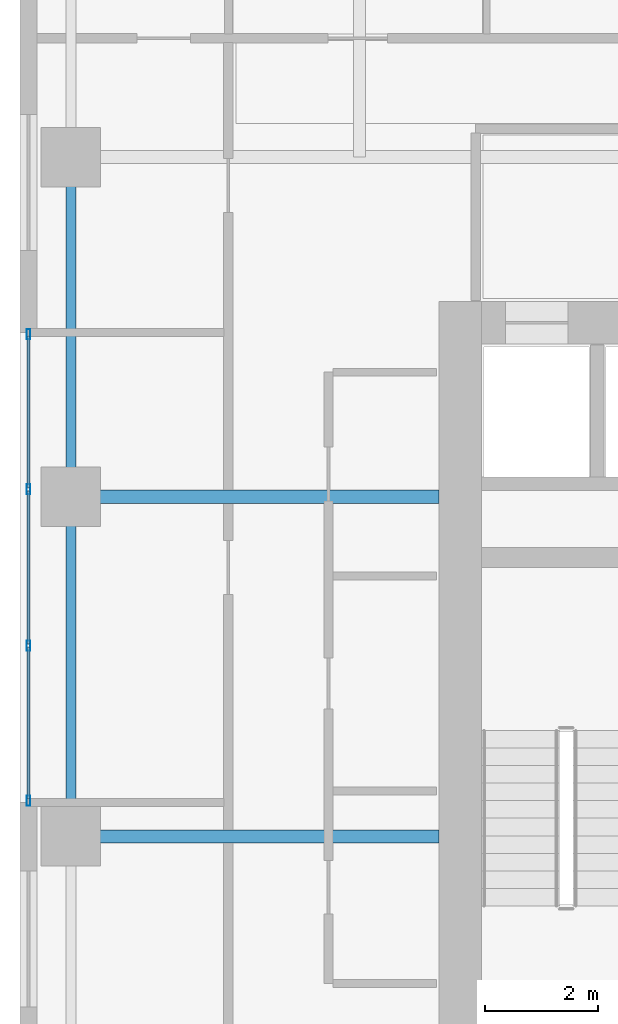
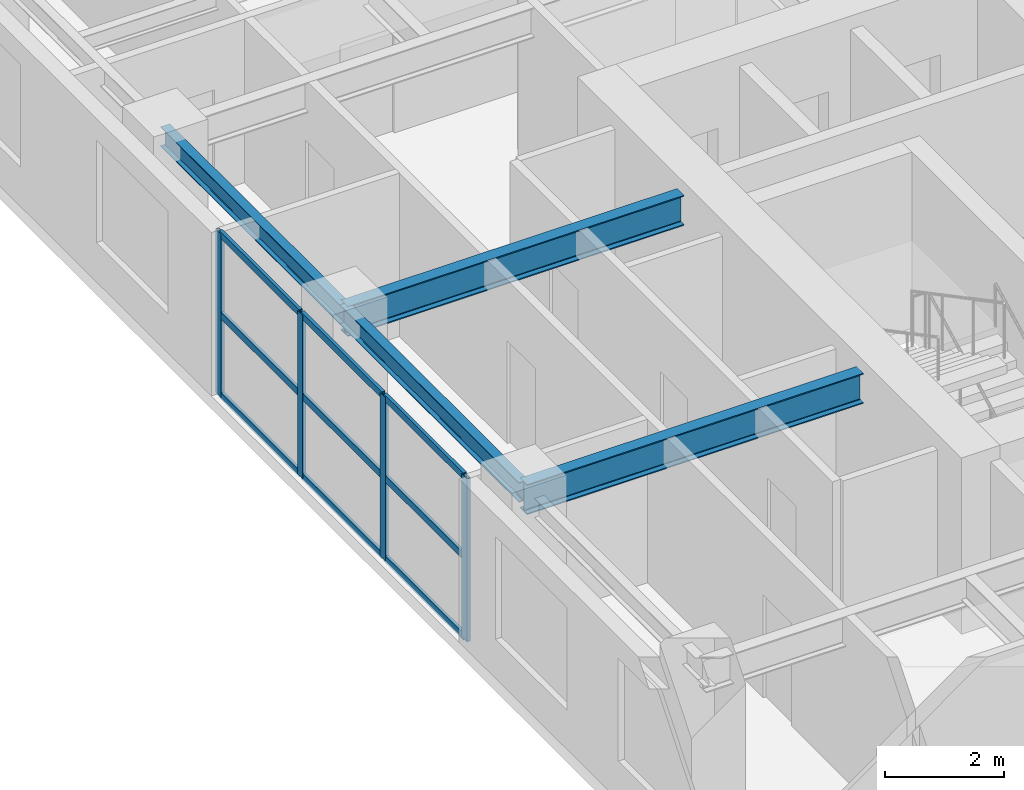
# One storey, part 5 of 20: 13 members, 4 beams, 1 element without a shape of its own.
"""IFC4 building model written with IfcOpenShell, lengths in metres."""

from ifc_helpers import new_model, si_unit, direction, frame, origin, origin_2d, place, context, subcontext, project, spatial, hollow_rectangle, i_section, extrude, source, transform, mapped, material, layer, layer_set, material_profile, profile_set, type_object, element, aggregate, save


model = new_model("IFC4")

# Units and contexts
model_context = context("Model", 3, precision=1e-05, world=origin(), true_north=direction((0.0, 1.0)))
body_context = subcontext(model_context, "Body", "Model", "MODEL_VIEW")
ifc_project = project(units=[si_unit("LENGTHUNIT", "METRE"), si_unit("AREAUNIT", "SQUARE_METRE"), si_unit("VOLUMEUNIT", "CUBIC_METRE"), si_unit("PLANEANGLEUNIT", "RADIAN"), si_unit("MASSUNIT", "GRAM", prefix="KILO")], contexts=[model_context])

# Site, building, storey
site_placement = place(None, origin())
site = spatial("IfcSite", under=ifc_project, at=site_placement, CompositionType="ELEMENT")
building_placement = place(site_placement, origin())
building = spatial("IfcBuilding", under=site, at=building_placement, Name="Khoralis Quay Care Tower", CompositionType="ELEMENT")
storey_placement = place(building_placement, frame((0.0, 0.0, 116.10009765625)))
storey = spatial("IfcBuildingStorey", under=building, at=storey_placement, Name="L30", CompositionType="ELEMENT", Elevation=116.10009765625)

# Beams
ifc_material_1 = material(Name="Steel S355", Category="steel")
ifc_material_profile_1 = material_profile(ifc_material_1, i_section(OverallWidth=0.179931640625, OverallDepth=0.39990234375, WebThickness=0.008544921875, FlangeThickness=0.013427734375, FilletRadius=0.02099609375, at=origin_2d()), Name="Steel S355")
ifc_profile_set_1 = profile_set([ifc_material_profile_1], Name="Steel S355")
beam_type_1 = type_object("IfcBeamType", Name="BM-IPE400", PredefinedType="SPANDREL", material=ifc_profile_set_1)
shared_shape_1 = source(origin(), body_context, "Body", "SweptSolid", [
    extrude(i_section(OverallWidth=0.179931640625, OverallDepth=0.39990234375, WebThickness=0.008544921875, FlangeThickness=0.013427734375, FilletRadius=0.02099609375, at=origin_2d()), origin(), (0.0, 0.0, 1.0), 6.0),
])
for number, where, z_axis, x_axis, name in (
    (1, (0.89990234375, 18.0, 3.139892578125), (0.0, 1.0, 0.0), (-1.0, 0.0, 0.0), "BM-TSP-L30-13"),
    (2, (0.89990234375, 24.0, 3.139892578125), (0.0, 1.0, 0.0), (-1.0, 0.0, 0.0), "BM-TSP-L30-14"),
):
    element("IfcBeam", number, at=place(storey_placement, frame(where, z_axis=z_axis, x_axis=x_axis)), inside=storey, type_object=beam_type_1, Name=name, PredefinedType="SPANDREL", context=body_context, shape_type="MappedRepresentation", body=[
        mapped(shared_shape_1, transform((0.0, 0.0, 0.0), scale=1.0)),
    ])
ifc_material_profile_2 = material_profile(ifc_material_1, i_section(OverallWidth=0.22998046875, OverallDepth=0.616943359375, WebThickness=0.01318359375, FlangeThickness=0.022216796875, FilletRadius=0.01806640625, at=origin_2d()), Name="Steel S355")
ifc_profile_set_2 = profile_set([ifc_material_profile_2], Name="Steel S355")
beam_type_2 = type_object("IfcBeamType", Name="BM-W610X140", PredefinedType="BEAM", material=ifc_profile_set_2)
shared_shape_2 = source(origin(), body_context, "Body", "SweptSolid", [
    extrude(i_section(OverallWidth=0.22998046875, OverallDepth=0.616943359375, WebThickness=0.01318359375, FlangeThickness=0.022216796875, FilletRadius=0.01806640625, at=origin_2d()), origin(), (0.0, 0.0, 1.0), 6.502197265625),
])
for number, where, z_axis, x_axis, name in (
    (3, (0.89990234375, 18.0, 3.031494140625), (1.0, 0.0, 0.0), (0.0, 1.0, 0.0), "BM-TGXW-L30-180"),
    (4, (0.89990234375, 24.0, 3.031494140625), (1.0, 0.0, 0.0), (0.0, 1.0, 0.0), "BM-TGXW-L30-240"),
):
    element("IfcBeam", number, at=place(storey_placement, frame(where, z_axis=z_axis, x_axis=x_axis)), inside=storey, type_object=beam_type_2, Name=name, PredefinedType="BEAM", context=body_context, shape_type="MappedRepresentation", body=[
        mapped(shared_shape_2, transform((0.0, 0.0, 0.0), scale=1.0)),
    ])

# Curtain wall, members
ifc_material_2 = material(Name="Pale anodised aluminium", Category="aluminium")
ifc_layer = layer(ifc_material_2, 0.169921875)
ifc_layer_set = layer_set([ifc_layer], Name="Pale anodised aluminium")
curtain_wall_type = type_object("IfcCurtainWallType", Name="CW-SYS-Z2", PredefinedType="NOTDEFINED", material=ifc_layer_set)
curtain_wall_placement = place(storey_placement, origin())
curtain_wall = element("IfcCurtainWall", 5, at=curtain_wall_placement, inside=storey, type_object=curtain_wall_type, Name="L30 Unitised Curtain Wall CW-L30-P1-E15", PredefinedType="NOTDEFINED")
ifc_material_profile_3 = material_profile(ifc_material_2, hollow_rectangle(XDim=0.06005859375, YDim=0.139892578125, WallThickness=0.00390625, at=origin_2d()), Name="Pale anodised aluminium")
ifc_profile_set_3 = profile_set([ifc_material_profile_3], Name="Pale anodised aluminium")
member_type_1 = type_object("IfcMemberType", Name="CW-TRN-140", PredefinedType="USERDEFINED", material=ifc_profile_set_3)
shared_shape_3 = source(origin(), body_context, "Body", "SweptSolid", [
    extrude(hollow_rectangle(XDim=0.06005859375, YDim=0.139892578125, WallThickness=0.00390625, at=origin_2d()), origin(), (0.0, 0.0, 1.0), 2.6767578125),
])
member_1_placement = place(storey_placement, frame((0.14990234375, 26.840087890625, 0.02978515625), z_axis=(0.0, -1.0, 0.0), x_axis=(1.0, 0.0, 0.0)))
member_1 = element("IfcMember", 6, at=member_1_placement, type_object=member_type_1, Name="CW2 transom 1.1", ObjectType="TRANSOM", PredefinedType="USERDEFINED", context=body_context, shape_type="MappedRepresentation", body=[
    mapped(shared_shape_3, transform((0.0, 0.0, 0.0), scale=1.0)),
])
member_2_placement = place(storey_placement, frame((0.14990234375, 26.840087890625, 1.669921875), z_axis=(0.0, -1.0, 0.0), x_axis=(1.0, 0.0, 0.0)))
member_2 = element("IfcMember", 7, at=member_2_placement, type_object=member_type_1, Name="CW2 transom 1.2", ObjectType="TRANSOM", PredefinedType="USERDEFINED", context=body_context, shape_type="MappedRepresentation", body=[
    mapped(shared_shape_3, transform((0.0, 0.0, 0.0), scale=1.0)),
])
member_3_placement = place(storey_placement, frame((0.14990234375, 26.840087890625, 3.309814453125), z_axis=(0.0, -1.0, 0.0), x_axis=(1.0, 0.0, 0.0)))
member_3 = element("IfcMember", 8, at=member_3_placement, type_object=member_type_1, Name="CW2 transom 1.3", ObjectType="TRANSOM", PredefinedType="USERDEFINED", context=body_context, shape_type="MappedRepresentation", body=[
    mapped(shared_shape_3, transform((0.0, 0.0, 0.0), scale=1.0)),
])
member_4_placement = place(storey_placement, frame((0.14990234375, 21.336669921875, 0.02978515625), z_axis=(0.0, -1.0, 0.0), x_axis=(1.0, 0.0, 0.0)))
member_4 = element("IfcMember", 9, at=member_4_placement, type_object=member_type_1, Name="CW2 transom 3.1", ObjectType="TRANSOM", PredefinedType="USERDEFINED", context=body_context, shape_type="MappedRepresentation", body=[
    mapped(shared_shape_3, transform((0.0, 0.0, 0.0), scale=1.0)),
])
member_5_placement = place(storey_placement, frame((0.14990234375, 21.336669921875, 1.669921875), z_axis=(0.0, -1.0, 0.0), x_axis=(1.0, 0.0, 0.0)))
member_5 = element("IfcMember", 10, at=member_5_placement, type_object=member_type_1, Name="CW2 transom 3.2", ObjectType="TRANSOM", PredefinedType="USERDEFINED", context=body_context, shape_type="MappedRepresentation", body=[
    mapped(shared_shape_3, transform((0.0, 0.0, 0.0), scale=1.0)),
])
member_6_placement = place(storey_placement, frame((0.14990234375, 21.336669921875, 3.309814453125), z_axis=(0.0, -1.0, 0.0), x_axis=(1.0, 0.0, 0.0)))
member_6 = element("IfcMember", 11, at=member_6_placement, type_object=member_type_1, Name="CW2 transom 3.3", ObjectType="TRANSOM", PredefinedType="USERDEFINED", context=body_context, shape_type="MappedRepresentation", body=[
    mapped(shared_shape_3, transform((0.0, 0.0, 0.0), scale=1.0)),
])
shared_shape_4 = source(origin(), body_context, "Body", "SweptSolid", [
    extrude(hollow_rectangle(XDim=0.06005859375, YDim=0.139892578125, WallThickness=0.00390625, at=origin_2d()), origin(), (0.0, 0.0, 1.0), 2.70654296875),
])
member_7_placement = place(storey_placement, frame((0.14990234375, 24.103271484375, 0.02978515625), z_axis=(0.0, -1.0, 0.0), x_axis=(1.0, 0.0, 0.0)))
member_7 = element("IfcMember", 12, at=member_7_placement, type_object=member_type_1, Name="CW2 transom 2.1", ObjectType="TRANSOM", PredefinedType="USERDEFINED", context=body_context, shape_type="MappedRepresentation", body=[
    mapped(shared_shape_4, transform((0.0, 0.0, 0.0), scale=1.0)),
])
member_8_placement = place(storey_placement, frame((0.14990234375, 24.103271484375, 1.669921875), z_axis=(0.0, -1.0, 0.0), x_axis=(1.0, 0.0, 0.0)))
member_8 = element("IfcMember", 13, at=member_8_placement, type_object=member_type_1, Name="CW2 transom 2.2", ObjectType="TRANSOM", PredefinedType="USERDEFINED", context=body_context, shape_type="MappedRepresentation", body=[
    mapped(shared_shape_4, transform((0.0, 0.0, 0.0), scale=1.0)),
])
member_9_placement = place(storey_placement, frame((0.14990234375, 24.103271484375, 3.309814453125), z_axis=(0.0, -1.0, 0.0), x_axis=(1.0, 0.0, 0.0)))
member_9 = element("IfcMember", 14, at=member_9_placement, type_object=member_type_1, Name="CW2 transom 2.3", ObjectType="TRANSOM", PredefinedType="USERDEFINED", context=body_context, shape_type="MappedRepresentation", body=[
    mapped(shared_shape_4, transform((0.0, 0.0, 0.0), scale=1.0)),
])
ifc_material_profile_4 = material_profile(ifc_material_2, hollow_rectangle(XDim=0.06494140625, YDim=0.179931640625, WallThickness=0.00390625, at=origin_2d()), Name="Pale anodised aluminium")
ifc_profile_set_4 = profile_set([ifc_material_profile_4], Name="Pale anodised aluminium")
member_type_2 = type_object("IfcMemberType", Name="CW-MUL-180", PredefinedType="MULLION", material=ifc_profile_set_4)
shared_shape_5 = source(origin(), body_context, "Body", "SweptSolid", [
    extrude(hollow_rectangle(XDim=0.06494140625, YDim=0.179931640625, WallThickness=0.00390625, at=origin_2d()), origin(), (0.0, 0.0, 1.0), 3.33984375),
])
member_10_placement = place(storey_placement, frame((0.14990234375, 26.8701171875, 0.0), z_axis=(0.0, 0.0, 1.0), x_axis=(1.0, 0.0, 0.0)))
member_10 = element("IfcMember", 15, at=member_10_placement, type_object=member_type_2, Name="CW2 mullion 1", PredefinedType="MULLION", context=body_context, shape_type="MappedRepresentation", body=[
    mapped(shared_shape_5, transform((0.0, 0.0, 0.0), scale=1.0)),
])
member_11_placement = place(storey_placement, frame((0.14990234375, 24.13330078125, 0.0), z_axis=(0.0, 0.0, 1.0), x_axis=(1.0, 0.0, 0.0)))
member_11 = element("IfcMember", 16, at=member_11_placement, type_object=member_type_2, Name="CW2 mullion 2", PredefinedType="MULLION", context=body_context, shape_type="MappedRepresentation", body=[
    mapped(shared_shape_5, transform((0.0, 0.0, 0.0), scale=1.0)),
])
member_12_placement = place(storey_placement, frame((0.14990234375, 21.36669921875, 0.0), z_axis=(0.0, 0.0, 1.0), x_axis=(1.0, 0.0, 0.0)))
member_12 = element("IfcMember", 17, at=member_12_placement, type_object=member_type_2, Name="CW2 mullion 3", PredefinedType="MULLION", context=body_context, shape_type="MappedRepresentation", body=[
    mapped(shared_shape_5, transform((0.0, 0.0, 0.0), scale=1.0)),
])
member_13_placement = place(storey_placement, frame((0.14990234375, 18.6298828125, 0.0), z_axis=(0.0, 0.0, 1.0), x_axis=(1.0, 0.0, 0.0)))
member_13 = element("IfcMember", 18, at=member_13_placement, type_object=member_type_2, Name="CW2 mullion 4", PredefinedType="MULLION", context=body_context, shape_type="MappedRepresentation", body=[
    mapped(shared_shape_5, transform((0.0, 0.0, 0.0), scale=1.0)),
])
aggregate(curtain_wall, [member_10, member_11, member_12, member_13, member_1, member_2, member_3, member_7, member_8, member_9, member_4, member_5, member_6])

save(model, "model.ifc")
